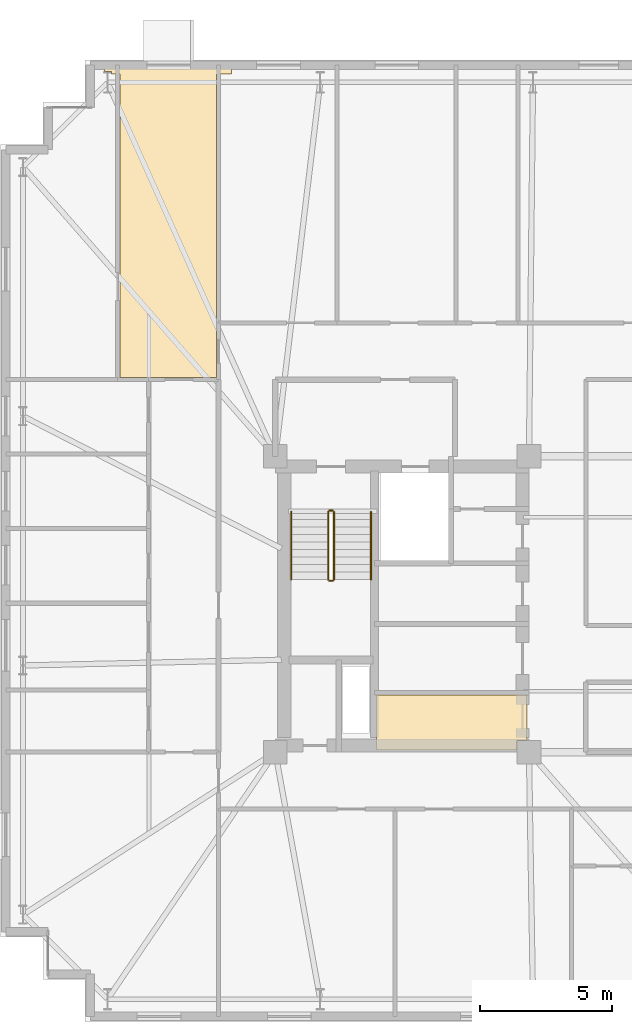
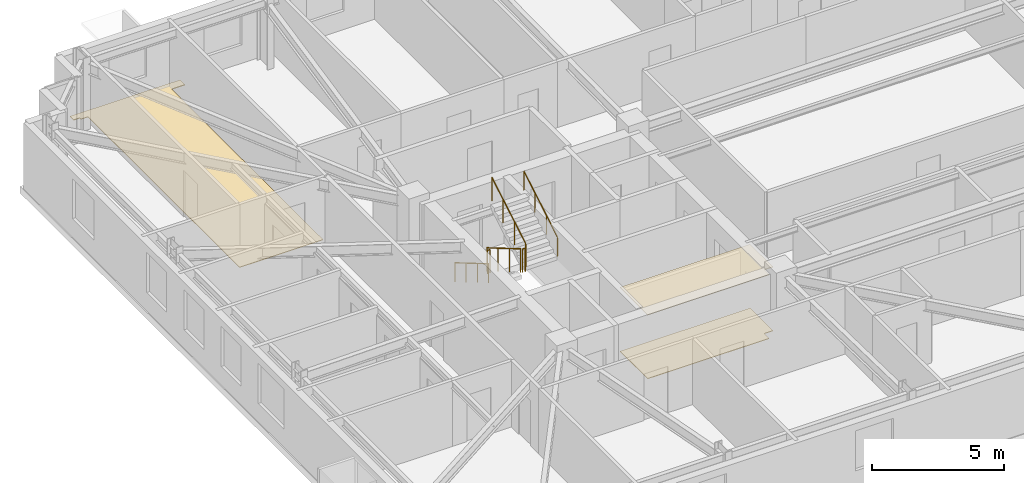
# One storey, part 16 of 17: 6 railings, 3 coverings.
"""IFC4 building model written with IfcOpenShell, lengths in metres."""

from ifc_helpers import new_model, si_unit, direction, frame, origin, origin_2d, place, context, subcontext, project, spatial, polyline, circle, outline, extrude, material, layer, layer_set, type_object, element, save


model = new_model("IFC4")

# Units and contexts
model_context = context("Model", 3, precision=1e-05, world=origin(), true_north=direction((0.0, 1.0)))
body_context = subcontext(model_context, "Body", "Model", "MODEL_VIEW")
ifc_project = project(units=[si_unit("LENGTHUNIT", "METRE"), si_unit("AREAUNIT", "SQUARE_METRE"), si_unit("VOLUMEUNIT", "CUBIC_METRE"), si_unit("PLANEANGLEUNIT", "RADIAN"), si_unit("MASSUNIT", "GRAM", prefix="KILO")], contexts=[model_context])

# Site, building, storey
site_placement = place(None, origin())
site = spatial("IfcSite", under=ifc_project, at=site_placement, CompositionType="ELEMENT")
building_placement = place(site_placement, origin())
building = spatial("IfcBuilding", under=site, at=building_placement, Name="Qobustan Lattice House", CompositionType="ELEMENT")
storey_placement = place(building_placement, frame((0.0, 0.0, 164.5)))
storey = spatial("IfcBuildingStorey", under=building, at=storey_placement, Name="L46", CompositionType="ELEMENT", Elevation=164.5)

# Coverings
ifc_material_1 = material(Name="Perforated gypsum acoustic ceiling", Category="gypsum")
ifc_layer_1 = layer(ifc_material_1, 0.030029296875)
ifc_layer_set_1 = layer_set([ifc_layer_1], Name="Perforated gypsum acoustic ceiling")
covering_type_1 = type_object("IfcCoveringType", Name="COV-ACOUSTIC-CEIL", PredefinedType="CEILING", material=ifc_layer_set_1)
covering_1_placement = place(storey_placement, frame((0.0, 0.0, 2.949951171875)))
element("IfcCovering", 1, at=covering_1_placement, inside=storey, type_object=covering_type_1, Name="L46 Quiet study alcove acoustic ceiling", PredefinedType="CEILING", context=body_context, shape_type="SweptSolid", body=[
    extrude(outline(polyline([(-14.969970703125, -3.429931640625), (-14.969970703125, -5.52001953125), (-9.652099609375, -5.52001953125), (-9.652099609375, -5.14794921875), (-9.280029296875, -5.14794921875), (-9.280029296875, -3.429931640625), (-14.969970703125, -3.429931640625)])), origin(), (0.0, 0.0, 1.0), 0.030029296875),
])
ifc_material_2 = material(Name="Honed Absheron stone terrazzo flooring", Category="masonry")
ifc_layer_2 = layer(ifc_material_2, 0.02490234375)
ifc_layer_set_2 = layer_set([ifc_layer_2], Name="Honed Absheron stone terrazzo flooring")
covering_type_2 = type_object("IfcCoveringType", Name="COV-TERRAZZO-FLR", PredefinedType="FLOORING", material=ifc_layer_set_2)
covering_2_placement = place(storey_placement, origin())
element("IfcCovering", 2, at=covering_2_placement, inside=storey, type_object=covering_type_2, Name="L46 Quiet study alcove stone terrazzo flooring", PredefinedType="FLOORING", context=body_context, shape_type="SweptSolid", body=[
    extrude(outline(polyline([(-14.969970703125, -3.429931640625), (-14.969970703125, -5.52001953125), (-9.652099609375, -5.52001953125), (-9.652099609375, -5.14794921875), (-9.280029296875, -5.14794921875), (-9.280029296875, -3.429931640625), (-14.969970703125, -3.429931640625)])), origin(), (0.0, 0.0, 1.0), 0.02490234375),
])
covering_3_placement = place(storey_placement, origin())
element("IfcCovering", 3, at=covering_3_placement, inside=storey, type_object=covering_type_2, Name="L46 Reading seminar room L46WN stone terrazzo flooring", PredefinedType="FLOORING", context=body_context, shape_type="SweptSolid", body=[
    extrude(outline(polyline([(-25.264892578125, 20.429931640625), (-25.264892578125, 20.152099609375), (-24.998046875, 20.152099609375), (-24.998046875, 20.06005859375), (-24.68505859375, 20.06005859375), (-24.68505859375, 8.580078125), (-21.030029296875, 8.580078125), (-21.030029296875, 20.06005859375), (-20.449951171875, 20.06005859375), (-20.449951171875, 20.429931640625), (-25.264892578125, 20.429931640625)])), origin(), (0.0, 0.0, 1.0), 0.02490234375),
])

# Railings
ifc_material_3 = material(Name="Brushed stainless steel handrail", Category="steel")
railing_type_1 = type_object("IfcRailingType", Name="RAL-HR-920", PredefinedType="HANDRAIL", material=ifc_material_3)
railing_1_placement = place(storey_placement, frame((-18.199951171875, 3.5, 0.16748046875)))
element("IfcRailing", 4, at=railing_1_placement, inside=storey, type_object=railing_type_1, Name="L46 ST-W1 stair handrail 1", PredefinedType="HANDRAIL", context=body_context, shape_type="SweptSolid", body=[
    extrude(circle(Radius=0.02392578125, at=origin_2d()), frame((0.0, 0.0, 0.8759765625), z_axis=(0.0, -0.862113467892, 0.50671527358), x_axis=(1.0, 0.0, 0.0)), (0.0, 0.0, 1.0), 2.97509765625),
    extrude(circle(Radius=0.02099609375, at=origin_2d()), origin(), (0.0, 0.0, 1.0), 0.851806640625),
    extrude(circle(Radius=0.02099609375, at=origin_2d()), frame((0.0, -0.85498046875, 0.50244140625)), (0.0, 0.0, 1.0), 0.851806640625),
    extrude(circle(Radius=0.02099609375, at=origin_2d()), frame((0.0, -1.7099609375, 1.005126953125)), (0.0, 0.0, 1.0), 0.851806640625),
    extrude(circle(Radius=0.02099609375, at=origin_2d()), frame((0.0, -2.56494140625, 1.507568359375)), (0.0, 0.0, 1.0), 0.851806640625),
])
railing_2_placement = place(storey_placement, frame((-15.179931640625, 0.93505859375, 1.842529296875)))
element("IfcRailing", 5, at=railing_2_placement, inside=storey, type_object=railing_type_1, Name="L46 ST-W1 stair handrail 2", PredefinedType="HANDRAIL", context=body_context, shape_type="SweptSolid", body=[
    extrude(circle(Radius=0.02392578125, at=origin_2d()), frame((0.0, 0.0, 0.8759765625), z_axis=(0.0, 0.862113467892, 0.50671527358), x_axis=(-1.0, 0.0, 0.0)), (0.0, 0.0, 1.0), 2.97509765625),
    extrude(circle(Radius=0.02099609375, at=origin_2d()), origin(), (0.0, 0.0, 1.0), 0.851806640625),
    extrude(circle(Radius=0.02099609375, at=origin_2d()), frame((0.0, 0.85498046875, 0.50244140625)), (0.0, 0.0, 1.0), 0.851806640625),
    extrude(circle(Radius=0.02099609375, at=origin_2d()), frame((0.0, 1.7099609375, 1.005126953125)), (0.0, 0.0, 1.0), 0.851806640625),
    extrude(circle(Radius=0.02099609375, at=origin_2d()), frame((0.0, 2.56494140625, 1.507568359375)), (0.0, 0.0, 1.0), 0.851806640625),
])
ifc_material_4 = material(Name="Painted galvanized steel guardrail", Category="steel")
railing_type_2 = type_object("IfcRailingType", Name="RAL-STG-1150", PredefinedType="GUARDRAIL", material=ifc_material_4)
railing_3_placement = place(storey_placement, frame((-16.800048828125, 3.5, 0.16748046875)))
element("IfcRailing", 6, at=railing_3_placement, inside=storey, type_object=railing_type_2, Name="L46 ST-W1 stair guard 1", PredefinedType="GUARDRAIL", context=body_context, shape_type="SweptSolid", body=[
    extrude(circle(Radius=0.02392578125, at=origin_2d()), frame((0.0, 0.0, 1.076171875), z_axis=(0.0, -0.862113467892, 0.50671527358), x_axis=(1.0, 0.0, 0.0)), (0.0, 0.0, 1.0), 2.97509765625),
    extrude(circle(Radius=0.02099609375, at=origin_2d()), origin(), (0.0, 0.0, 1.0), 1.052001953125),
    extrude(circle(Radius=0.02099609375, at=origin_2d()), frame((0.0, -0.85498046875, 0.50244140625)), (0.0, 0.0, 1.0), 1.052001953125),
    extrude(circle(Radius=0.02099609375, at=origin_2d()), frame((0.0, -1.7099609375, 1.005126953125)), (0.0, 0.0, 1.0), 1.052001953125),
    extrude(circle(Radius=0.02099609375, at=origin_2d()), frame((0.0, -2.56494140625, 1.507568359375)), (0.0, 0.0, 1.0), 1.052001953125),
])
railing_4_placement = place(storey_placement, frame((-16.75, 0.885009765625, 1.675048828125)))
element("IfcRailing", 7, at=railing_4_placement, inside=storey, type_object=railing_type_2, Name="L46 ST-W1 stair guard 2", PredefinedType="GUARDRAIL", context=body_context, shape_type="SweptSolid", body=[
    extrude(circle(Radius=0.02392578125, at=origin_2d()), frame((0.0, 0.0, 1.076171875), z_axis=(1.0, 0.0, 0.0), x_axis=(0.0, 1.0, 0.0)), (0.0, 0.0, 1.0), 0.1201171875),
    extrude(circle(Radius=0.02099609375, at=origin_2d()), origin(), (0.0, 0.0, 1.0), 1.052001953125),
    extrude(circle(Radius=0.02099609375, at=origin_2d()), frame((0.1201171875, 0.0, 0.0)), (0.0, 0.0, 1.0), 1.052001953125),
])
railing_5_placement = place(storey_placement, frame((-16.580078125, 0.93505859375, 1.842529296875)))
element("IfcRailing", 8, at=railing_5_placement, inside=storey, type_object=railing_type_2, Name="L46 ST-W1 stair guard 3", PredefinedType="GUARDRAIL", context=body_context, shape_type="SweptSolid", body=[
    extrude(circle(Radius=0.02392578125, at=origin_2d()), frame((0.0, 0.0, 1.076171875), z_axis=(0.0, 0.862113467892, 0.50671527358), x_axis=(-1.0, 0.0, 0.0)), (0.0, 0.0, 1.0), 2.97509765625),
    extrude(circle(Radius=0.02099609375, at=origin_2d()), origin(), (0.0, 0.0, 1.0), 1.052001953125),
    extrude(circle(Radius=0.02099609375, at=origin_2d()), frame((0.0, 0.85498046875, 0.50244140625)), (0.0, 0.0, 1.0), 1.052001953125),
    extrude(circle(Radius=0.02099609375, at=origin_2d()), frame((0.0, 1.7099609375, 1.005126953125)), (0.0, 0.0, 1.0), 1.052001953125),
    extrude(circle(Radius=0.02099609375, at=origin_2d()), frame((0.0, 2.56494140625, 1.507568359375)), (0.0, 0.0, 1.0), 1.052001953125),
])
railing_6_placement = place(storey_placement, frame((-16.75, 3.550048828125, 0.0)))
element("IfcRailing", 9, at=railing_6_placement, inside=storey, type_object=railing_type_2, Name="L46 ST-W1 stair guard 4", PredefinedType="GUARDRAIL", context=body_context, shape_type="SweptSolid", body=[
    extrude(circle(Radius=0.02392578125, at=origin_2d()), frame((0.0, 0.0, 1.076171875), z_axis=(1.0, 0.0, 0.0), x_axis=(0.0, 1.0, 0.0)), (0.0, 0.0, 1.0), 0.1201171875),
    extrude(circle(Radius=0.02099609375, at=origin_2d()), origin(), (0.0, 0.0, 1.0), 1.052001953125),
    extrude(circle(Radius=0.02099609375, at=origin_2d()), frame((0.1201171875, 0.0, 0.0)), (0.0, 0.0, 1.0), 1.052001953125),
])

save(model, "model.ifc")
